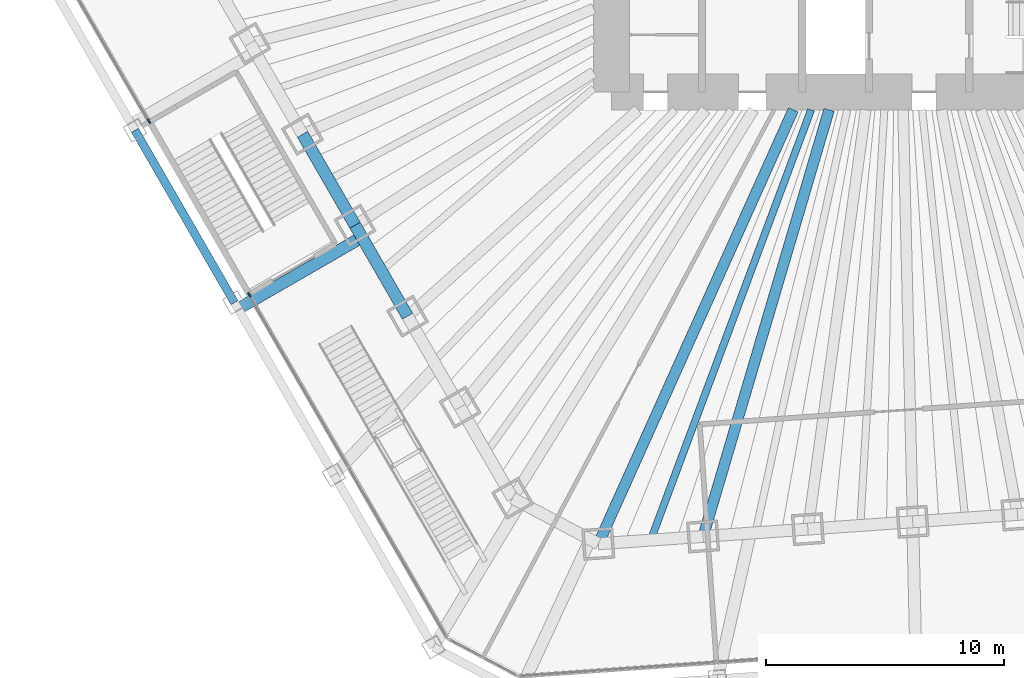
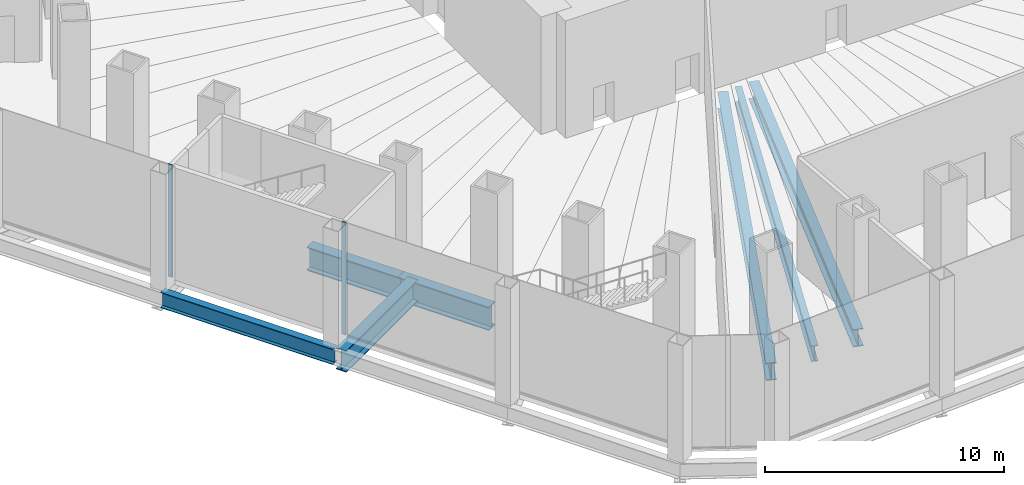
# One storey, part 5 of 23: 7 beams, 2 members, 2 elements without a shape of their own.
"""IFC4 building model written with IfcOpenShell, lengths in metres."""

from ifc_helpers import new_model, si_unit, direction, frame, origin, origin_2d, place, context, subcontext, project, spatial, rectangle, i_section, extrude, material, material_profile, profile_set, type_object, element, aggregate, save


model = new_model("IFC4")

# Units and contexts
model_context = context("Model", 3, precision=1e-05, world=origin(), true_north=direction((0.0, 1.0)))
body_context = subcontext(model_context, "Body", "Model", "MODEL_VIEW")
ifc_project = project(units=[si_unit("LENGTHUNIT", "METRE"), si_unit("AREAUNIT", "SQUARE_METRE"), si_unit("VOLUMEUNIT", "CUBIC_METRE"), si_unit("PLANEANGLEUNIT", "RADIAN"), si_unit("MASSUNIT", "GRAM", prefix="KILO")], contexts=[model_context])

# Site, building, storey
site_placement = place(None, origin())
site = spatial("IfcSite", under=ifc_project, at=site_placement, CompositionType="ELEMENT")
building_placement = place(site_placement, origin())
building = spatial("IfcBuilding", under=site, at=building_placement, Name="Qingtian Harvest Tower", CompositionType="ELEMENT")
storey_placement = place(building_placement, frame((0.0, 0.0, 6.0)))
storey = spatial("IfcBuildingStorey", under=building, at=storey_placement, Name="L01", CompositionType="ELEMENT", Elevation=6.0)

# Beams
ifc_material_1 = material(Name="Steel SM570MC", Category="steel")
ifc_material_profile_1 = material_profile(ifc_material_1, i_section(OverallWidth=0.449951171875, OverallDepth=0.89990234375, WebThickness=0.02197265625, FlangeThickness=0.044921875, at=origin_2d()), Name="H900x450x22x45")
ifc_profile_set_1 = profile_set([ifc_material_profile_1], Name="Steel SM570MC")
beam_type_1 = type_object("IfcBeamType", Name="Floor beam FB5 H900x450x22x45", PredefinedType="BEAM", material=ifc_profile_set_1)
beam_1_placement = place(storey_placement, frame((-8.158935546875, -27.636474609375, -0.699951171875), z_axis=(0.283142824758, 0.95907775534, 0.0), x_axis=(-0.95907775534, 0.283142824758, 0.0)))
element("IfcBeam", 1, at=beam_1_placement, inside=storey, type_object=beam_type_1, Name="Floor beam FB5 S5", PredefinedType="BEAM", context=body_context, shape_type="SweptSolid", body=[
    extrude(i_section(OverallWidth=0.449951171875, OverallDepth=0.89990234375, WebThickness=0.02197265625, FlangeThickness=0.044921875, at=origin_2d()), origin(), (0.0, 0.0, 1.0), 18.649658203125),
])
beam_2_placement = place(storey_placement, frame((-12.552734375, -27.943603515625, -0.699951171875), z_axis=(0.409769605538, 0.912189054077, 0.0), x_axis=(-0.912189054077, 0.409769605538, 0.0)))
element("IfcBeam", 2, at=beam_2_placement, inside=storey, type_object=beam_type_1, Name="Floor beam FB5 S6", PredefinedType="BEAM", context=body_context, shape_type="SweptSolid", body=[
    extrude(i_section(OverallWidth=0.449951171875, OverallDepth=0.89990234375, WebThickness=0.02197265625, FlangeThickness=0.044921875, at=origin_2d()), origin(), (0.0, 0.0, 1.0), 19.945068359375),
])
ifc_material_2 = material(Name="Steel SM570MC", Category="steel")
ifc_material_profile_2 = material_profile(ifc_material_2, i_section(OverallWidth=0.5, OverallDepth=1.10009765625, WebThickness=0.02490234375, FlangeThickness=0.050048828125, at=origin_2d()), Name="H1100x500x25x50")
ifc_profile_set_2 = profile_set([ifc_material_profile_2], Name="Steel SM570MC")
beam_type_2 = type_object("IfcBeamType", Name="Floor beam FB6 H1100x500x25x50", PredefinedType="BEAM", material=ifc_profile_set_2)
beam_3_placement = place(storey_placement, frame((-27.66015625, -18.091064453125, -0.800048828125), z_axis=(0.866020924479, 0.500007758305, 0.0), x_axis=(-0.500007758305, 0.866020924479, 0.0)))
element("IfcBeam", 3, at=beam_3_placement, inside=storey, type_object=beam_type_2, Name="Podium floor beam FB6 SW2", PredefinedType="BEAM", context=body_context, shape_type="SweptSolid", body=[
    extrude(i_section(OverallWidth=0.5, OverallDepth=1.10009765625, WebThickness=0.02490234375, FlangeThickness=0.050048828125, at=origin_2d()), origin(), (0.0, 0.0, 1.0), 6.0),
])
ifc_material_3 = material(Name="Steel SN490B", Category="steel")
ifc_material_profile_3 = material_profile(ifc_material_3, i_section(OverallWidth=0.300048828125, OverallDepth=0.800048828125, WebThickness=0.013916015625, FlangeThickness=0.02587890625, at=origin_2d()), Name="H800x300x14x26")
ifc_profile_set_3 = profile_set([ifc_material_profile_3], Name="Steel SN490B")
beam_type_3 = type_object("IfcBeamType", Name="Floor joist J1 H800x300x14x26", PredefinedType="JOIST", material=ifc_profile_set_3)
beam_4_placement = place(storey_placement, frame((-10.35595703125, -27.7900390625, -0.64990234375), z_axis=(0.349193741063, 0.937050548905, 0.0), x_axis=(-0.937050548905, 0.349193741063, 0.0)))
element("IfcBeam", 4, at=beam_4_placement, inside=storey, type_object=beam_type_3, Name="Floor joist J1 S5", PredefinedType="JOIST", context=body_context, shape_type="SweptSolid", body=[
    extrude(i_section(OverallWidth=0.300048828125, OverallDepth=0.800048828125, WebThickness=0.013916015625, FlangeThickness=0.02587890625, at=origin_2d()), origin(), (0.0, 0.0, 1.0), 19.251953125),
])

# Curtain wall, member
ifc_material_4 = material(Name="Bronze-anodised aluminium curtain wall", Category="aluminium")
curtain_wall_type = type_object("IfcCurtainWallType", Name="Curtain wall CW1 podium shopfront", PredefinedType="USERDEFINED", material=ifc_material_4)
curtain_wall_1_placement = place(storey_placement, origin())
curtain_wall_1 = element("IfcCurtainWall", 5, at=curtain_wall_1_placement, inside=storey, type_object=curtain_wall_type, Name="Curtain wall CW1 L01 SW0-1", ObjectType="RECESSED CURTAIN WALL", PredefinedType="USERDEFINED")
ifc_material_5 = material(Name="Bronze-anodised aluminium mullion", Category="aluminium")
ifc_material_profile_4 = material_profile(ifc_material_5, rectangle(XDim=0.06494140625, YDim=0.199951171875, at=origin_2d()), Name="AL 65x200")
ifc_profile_set_4 = profile_set([ifc_material_profile_4], Name="Bronze-anodised aluminium mullion")
member_type = type_object("IfcMemberType", Name="Mullion CWM 65x200", PredefinedType="MULLION", material=ifc_profile_set_4)
member_1_placement = place(storey_placement, frame((-27.187744140625, -17.50927734375, 0.0), z_axis=(0.0, 0.0, 1.0), x_axis=(-0.866025403784, -0.5, 0.0)))
member_1 = element("IfcMember", 6, at=member_1_placement, type_object=member_type, Name="CW1 mullion 3", PredefinedType="MULLION", context=body_context, shape_type="SweptSolid", body=[
    extrude(rectangle(XDim=0.06494140625, YDim=0.199951171875, at=origin_2d()), origin(), (0.0, 0.0, 1.0), 5.75),
])
aggregate(curtain_wall_1, [member_1])

curtain_wall_2_placement = place(storey_placement, origin())
curtain_wall_2 = element("IfcCurtainWall", 7, at=curtain_wall_2_placement, inside=storey, type_object=curtain_wall_type, Name="Curtain wall CW1 L01 SW3", ObjectType="RECESSED CURTAIN WALL", PredefinedType="USERDEFINED")
member_2_placement = place(storey_placement, frame((-31.39111328125, -10.228759765625, 0.0), z_axis=(0.0, 0.0, 1.0), x_axis=(-0.866025403784, -0.5, 0.0)))
member_2 = element("IfcMember", 8, at=member_2_placement, type_object=member_type, Name="CW1 mullion 1", PredefinedType="MULLION", context=body_context, shape_type="SweptSolid", body=[
    extrude(rectangle(XDim=0.06494140625, YDim=0.199951171875, at=origin_2d()), origin(), (0.0, 0.0, 1.0), 5.75),
])
aggregate(curtain_wall_2, [member_2])

# Beams
ifc_material_6 = material(Name="Steel SN490B", Category="steel")
ifc_material_profile_5 = material_profile(ifc_material_6, i_section(OverallWidth=0.35009765625, OverallDepth=0.800048828125, WebThickness=0.01611328125, FlangeThickness=0.028076171875, at=origin_2d()), Name="H800x350x16x28")
ifc_profile_set_5 = profile_set([ifc_material_profile_5], Name="Steel SN490B")
beam_type_4 = type_object("IfcBeamType", Name="Podium beam PB1 H800x350x16x28", PredefinedType="BEAM", material=ifc_profile_set_5)
beam_5_placement = place(storey_placement, frame((-27.810302734375, -17.831298828125, -0.64990234375), z_axis=(-0.499991838624, 0.866030115706, 0.0), x_axis=(-0.866030115706, -0.499991838624, 0.0)))
element("IfcBeam", 9, at=beam_5_placement, inside=storey, type_object=beam_type_4, Name="Podium edge beam PB1 SW2", PredefinedType="BEAM", context=body_context, shape_type="SweptSolid", body=[
    extrude(i_section(OverallWidth=0.35009765625, OverallDepth=0.800048828125, WebThickness=0.01611328125, FlangeThickness=0.028076171875, at=origin_2d()), origin(), (0.0, 0.0, 1.0), 8.342041015625),
])
ifc_material_7 = material(Name="Steel SM570MC", Category="steel")
ifc_material_profile_6 = material_profile(ifc_material_7, i_section(OverallWidth=0.5, OverallDepth=1.199951171875, WebThickness=0.02490234375, FlangeThickness=0.050048828125, at=origin_2d()), Name="H1200x500x25x50")
ifc_profile_set_6 = profile_set([ifc_material_profile_6], Name="Steel SM570MC")
beam_type_5 = type_object("IfcBeamType", Name="Spandrel beam SB1 H1200x500x25x50", PredefinedType="SPANDREL", material=ifc_profile_set_6)
for number, where, z_axis, x_axis, name in (
    (10, (-20.551513671875, -18.403564453125, -0.85009765625), (-0.50001992892, 0.866013897511, 0.0), (-0.866013897511, -0.50001992892, 0.0), "Spandrel SB1 SW2"),
    (11, (-22.75390625, -14.589111328125, -0.85009765625), (-0.499978356969, 0.866037899034, 0.0), (-0.866037899034, -0.499978356969, 0.0), "Spandrel SB1 SW3"),
):
    element("IfcBeam", number, at=place(storey_placement, frame(where, z_axis=z_axis, x_axis=x_axis)), inside=storey, type_object=beam_type_5, Name=name, PredefinedType="SPANDREL", context=body_context, shape_type="SweptSolid", body=[
        extrude(i_section(OverallWidth=0.5, OverallDepth=1.199951171875, WebThickness=0.02490234375, FlangeThickness=0.050048828125, at=origin_2d()), origin(), (0.0, 0.0, 1.0), 4.404541015625),
    ])

save(model, "model.ifc")
